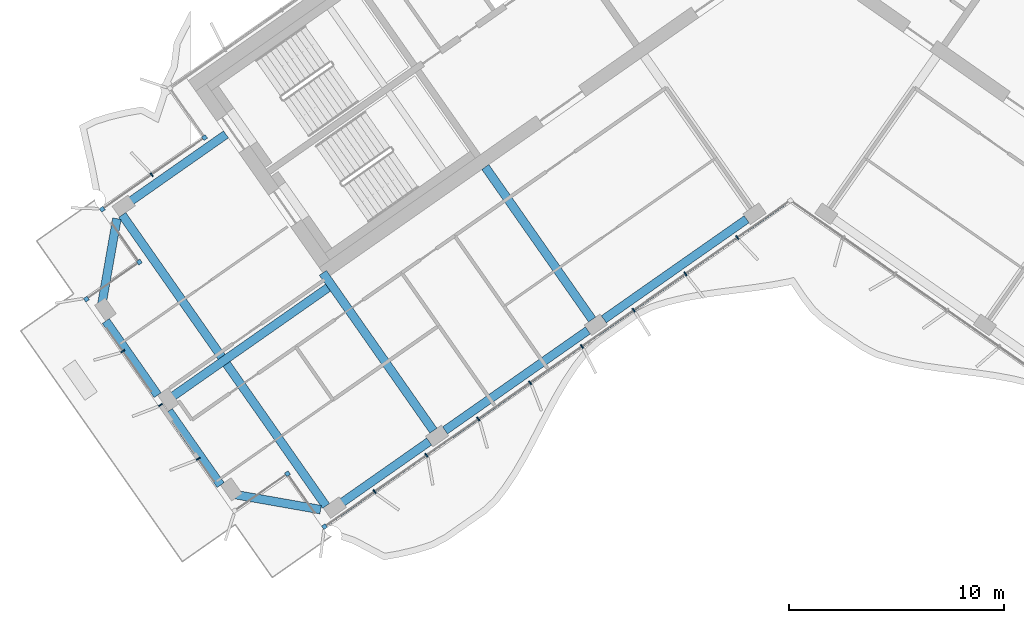
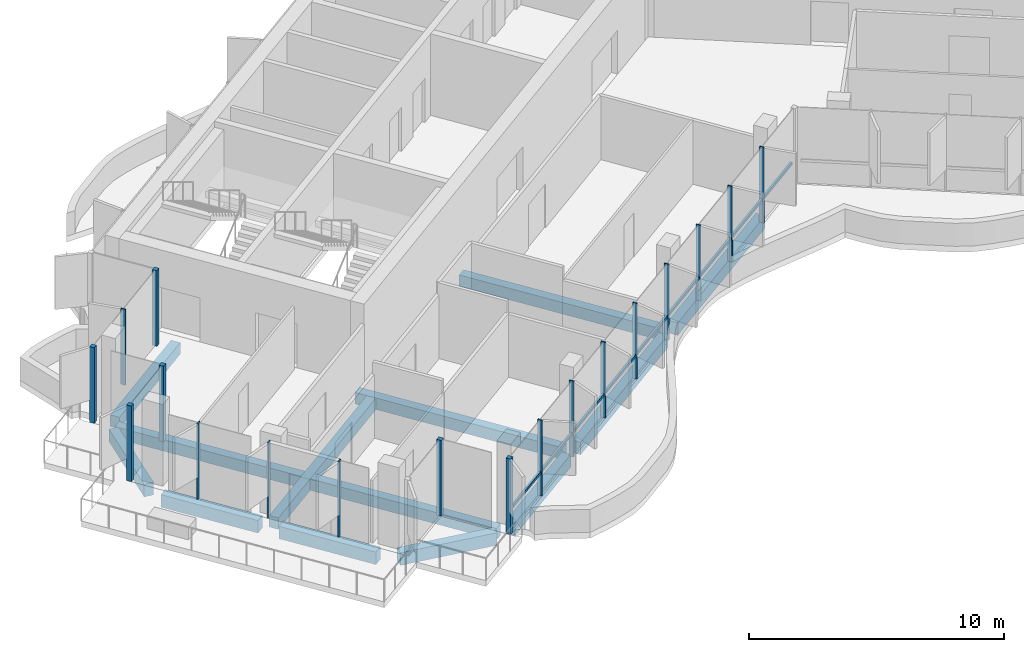
# One storey, part 2 of 21: 19 members, 12 beams, 4 elements without a shape of their own.
"""IFC4 building model written with IfcOpenShell, lengths in metres."""

import ifcopenshell
import ifcopenshell.guid

model = None  # the IFC model being written
_history = None  # IfcOwnerHistory: only IFC2X3 demands one
_inside = {}  # id of a spatial element -> (the spatial element, [elements in it])
_under = {}  # id of a project, library or spatial element -> (it, [spatial elements below it])
_declared = {}  # id of a project -> (the project, [libraries it declares])
_typed = {}  # id of a type object -> (the type object, [elements of that type])
_made_of = {}  # id of a material, layer set ... -> (it, [elements and type objects made of it])


def new_model(schema):
    """Start an empty IFC model of exactly this schema.

    Asked for "IFC4X3", IfcOpenShell would pick the latest addendum, in which some entities
    have other attributes; the version numbers below select the first issue.
    IFC2X3 requires an IfcOwnerHistory on every rooted entity: one is made here for all.
    """
    global model, _history
    if schema == "IFC4X3":
        model = ifcopenshell.file(schema_version=(4, 3, 0, 0))
    else:
        model = ifcopenshell.file(schema=schema)
    _inside.clear()
    _under.clear()
    _declared.clear()
    _typed.clear()
    _made_of.clear()
    _history = None
    if model.schema == "IFC2X3":
        org = make("IfcOrganization", Name="unknown")
        user = make(
            "IfcPersonAndOrganization",
            ThePerson=make("IfcPerson", FamilyName="unknown"),
            TheOrganization=org,
        )
        app = make(
            "IfcApplication",
            ApplicationDeveloper=org,
            Version="unknown",
            ApplicationFullName="unknown",
            ApplicationIdentifier="unknown",
        )
        _history = make(
            "IfcOwnerHistory",
            OwningUser=user,
            OwningApplication=app,
            ChangeAction="ADDED",
            CreationDate=0,
        )
    return model


def make(cls, **values):
    """One entity of the class cls with the attributes given. An attribute that is None is left unset."""
    return model.create_entity(
        cls, **{name: value for name, value in values.items() if value is not None}
    )


def rooted(cls, **values):
    """An entity with a GlobalId (a new one), such as an element, a storey or a relation."""
    return make(cls, GlobalId=ifcopenshell.guid.new(), OwnerHistory=_history, **values)


def si_unit(unit_type, name, prefix=None):
    """IfcSIUnit, for example si_unit("LENGTHUNIT", "METRE", prefix="MILLI")."""
    return make("IfcSIUnit", UnitType=unit_type, Prefix=prefix, Name=name)


def assignment(units):
    """IfcUnitAssignment: the units of a project."""
    return None if units is None else make("IfcUnitAssignment", Units=units)


def point(xyz):
    """IfcCartesianPoint."""
    return None if xyz is None else make("IfcCartesianPoint", Coordinates=xyz)


def direction(xyz):
    """IfcDirection."""
    return None if xyz is None else make("IfcDirection", DirectionRatios=xyz)


def frame(location, z_axis=None, x_axis=None):
    """IfcAxis2Placement3D, a coordinate frame: its origin and axes. An axis left out is left unset."""
    return make(
        "IfcAxis2Placement3D",
        Location=point(location),
        Axis=direction(z_axis),
        RefDirection=direction(x_axis),
    )


def frame_2d(location, x_axis=None):
    """IfcAxis2Placement2D, a coordinate frame in the plane: its origin and x axis."""
    return make(
        "IfcAxis2Placement2D", Location=point(location), RefDirection=direction(x_axis)
    )


def origin():
    """The frame at (0, 0, 0) with its axes left unset."""
    return frame((0.0, 0.0, 0.0))


def origin_2d():
    """The frame at (0, 0) in the plane with its x axis left unset."""
    return frame_2d((0.0, 0.0))


def place(relative_to, where):
    """IfcLocalPlacement: puts the frame where relative to a parent placement (None: the world)."""
    return make(
        "IfcLocalPlacement", PlacementRelTo=relative_to, RelativePlacement=where
    )


def context(
    kind, dimensions, precision=None, world=None, true_north=None, identifier=None
):
    """IfcGeometricRepresentationContext, for example the 3D "Model" context."""
    return make(
        "IfcGeometricRepresentationContext",
        ContextIdentifier=identifier,
        ContextType=kind,
        CoordinateSpaceDimension=dimensions,
        Precision=precision,
        WorldCoordinateSystem=world,
        TrueNorth=true_north,
    )


def subcontext(parent, identifier, kind, view, scale=None):
    """IfcGeometricRepresentationSubContext, for example "Body" below "Model"."""
    return make(
        "IfcGeometricRepresentationSubContext",
        ContextIdentifier=identifier,
        ContextType=kind,
        ParentContext=parent,
        TargetScale=scale,
        TargetView=view,
    )


def project(units=None, contexts=None):
    """IfcProject with its units and contexts."""
    return rooted(
        "IfcProject",
        Name="project",
        RepresentationContexts=contexts,
        UnitsInContext=assignment(units),
    )


def spatial(cls, under=None, at=None, **own):
    """A site, building, storey or space (cls), placed at a placement, below another one or the project."""
    s = rooted(cls, ObjectPlacement=at, **own)
    if under is not None:
        _under.setdefault(under.id(), (under, []))[1].append(s)
    return s


def profile(cls, at=None, kind="AREA", **sizes):
    """A parametric profile (cls). Its sizes go by their IFC names, for example OverallWidth=200.0."""
    return make(cls, ProfileType=kind, Position=at, **sizes)


def rectangle(**sizes):
    """IfcRectangleProfileDef."""
    return profile("IfcRectangleProfileDef", **sizes)


def extrude(swept, where, along, depth):
    """IfcExtrudedAreaSolid: the profile swept, set in the frame where, extruded along a direction by depth."""
    return make(
        "IfcExtrudedAreaSolid",
        SweptArea=swept,
        Position=where,
        ExtrudedDirection=direction(along),
        Depth=depth,
    )


def shape(context_of_items, identifier, shape_type, items):
    """IfcShapeRepresentation: the items that make up one representation, for example the "Body"."""
    return make(
        "IfcShapeRepresentation",
        ContextOfItems=context_of_items,
        RepresentationIdentifier=identifier,
        RepresentationType=shape_type,
        Items=items,
    )


def material(Name=None, Category=None):
    """IfcMaterial."""
    return make("IfcMaterial", Name=Name, Category=Category)


def material_profile(
    of_material, cross_section, Name=None, Category=None, Priority=None
):
    """IfcMaterialProfile: a cross section and its material."""
    return make(
        "IfcMaterialProfile",
        Name=Name,
        Material=of_material,
        Profile=cross_section,
        Priority=Priority,
        Category=Category,
    )


def profile_set(profiles, Name=None, composite=None):
    """IfcMaterialProfileSet."""
    return make(
        "IfcMaterialProfileSet",
        Name=Name,
        MaterialProfiles=profiles,
        CompositeProfile=composite,
    )


def made_of(thing, what):
    """Note that an element or type object is made of a material, layer set ...; save() writes the relation."""
    if what is not None:
        _made_of.setdefault(what.id(), (what, []))[1].append(thing)
    return thing


def type_object(cls, material=None, **own):
    """A type object (cls), such as IfcWallType, which elements share."""
    return made_of(rooted(cls, **own), material)


def element(
    cls,
    number,
    at=None,
    inside=None,
    cuts=None,
    type_object=None,
    material=None,
    context=None,
    identifier="Body",
    shape_type=None,
    held_by="IfcProductDefinitionShape",
    body=None,
    shapes=None,
    **own,
):
    """One element of the class cls, such as IfcWall. Its Tag is "e" and its number.

    at: its placement. inside: the storey or other place that contains it. cuts: it is an
    opening in that element (IfcRelVoidsElement). A single representation is given by context,
    identifier, shape_type and body (its items); several are given by shapes. held_by: the class
    of the entity that holds the representations. save() writes the other relations.
    """
    e = rooted(cls, Tag="e%d" % number, ObjectPlacement=at, **own)
    if body is not None:
        shapes = [shape(context, identifier, shape_type, body)]
    if shapes is not None:
        e.Representation = make(held_by, Representations=shapes)
    if inside is not None:
        _inside.setdefault(inside.id(), (inside, []))[1].append(e)
    if cuts is not None:
        rooted(
            "IfcRelVoidsElement", RelatingBuildingElement=cuts, RelatedOpeningElement=e
        )
    if type_object is not None:
        _typed.setdefault(type_object.id(), (type_object, []))[1].append(e)
    return made_of(e, material)


def aggregate(whole, parts):
    """IfcRelAggregates: a whole, such as a stair, and the parts it consists of."""
    return rooted("IfcRelAggregates", RelatingObject=whole, RelatedObjects=parts)


def save(model, path):
    """Write the relations noted so far, then the file.

    IfcRelAggregates (storeys below a building ...), IfcRelContainedInSpatialStructure (elements
    in a storey), IfcRelDefinesByType, IfcRelAssociatesMaterial and IfcRelDeclares: one each for
    every whole, place, type object, material and project.
    """
    for whole, parts in _under.values():
        aggregate(whole, parts)
    for where, things in _inside.values():
        rooted(
            "IfcRelContainedInSpatialStructure",
            RelatedElements=things,
            RelatingStructure=where,
        )
    for kind, things in _typed.values():
        rooted("IfcRelDefinesByType", RelatedObjects=things, RelatingType=kind)
    for what, things in _made_of.values():
        rooted("IfcRelAssociatesMaterial", RelatedObjects=things, RelatingMaterial=what)
    for by, libraries in _declared.values():
        rooted("IfcRelDeclares", RelatingContext=by, RelatedDefinitions=libraries)
    model.write(path)


model = new_model("IFC4")

# Units and contexts
model_context = context("Model", 3, precision=1e-05, world=origin(), true_north=direction((0.0, 1.0)))
body_context = subcontext(model_context, "Body", "Model", "MODEL_VIEW")
ifc_project = project(units=[si_unit("LENGTHUNIT", "METRE"), si_unit("AREAUNIT", "SQUARE_METRE"), si_unit("VOLUMEUNIT", "CUBIC_METRE"), si_unit("PLANEANGLEUNIT", "RADIAN"), si_unit("MASSUNIT", "GRAM", prefix="KILO")], contexts=[model_context])

# Site, building, storey
site_placement = place(None, origin())
site = spatial("IfcSite", under=ifc_project, at=site_placement, CompositionType="ELEMENT")
building_placement = place(site_placement, origin())
building = spatial("IfcBuilding", under=site, at=building_placement, Name="Tel Ilan Convention Tower", CompositionType="ELEMENT")
storey_placement = place(building_placement, frame((0.0, 0.0, 225.39990234375)))
storey = spatial("IfcBuildingStorey", under=building, at=storey_placement, Name="L52", CompositionType="ELEMENT", Elevation=225.39990234375)

# Beams
ifc_material_1 = material(Name="Concrete C40/50", Category="concrete")
ifc_material_profile_1 = material_profile(ifc_material_1, rectangle(XDim=0.39990234375, YDim=0.550048828125, at=origin_2d()), Name="RC 400x550")
ifc_profile_set_1 = profile_set([ifc_material_profile_1], Name="Concrete C40/50")
beam_type_1 = type_object("IfcBeamType", Name="Beam RC 400x550 Concrete C40/50", PredefinedType="BEAM", material=ifc_profile_set_1)
beam_1_placement = place(storey_placement, frame((-30.841552734375, -12.866943359375, -0.554931640625), z_axis=(0.819148592279, 0.5735813663, 0.0), x_axis=(-0.5735813663, 0.819148592279, 0.0)))
element("IfcBeam", 1, at=beam_1_placement, inside=storey, type_object=beam_type_1, Name="L52 beam W-W-BC-core", PredefinedType="BEAM", context=body_context, shape_type="SweptSolid", body=[
    extrude(rectangle(XDim=0.39990234375, YDim=0.550048828125, at=origin_2d()), origin(), (0.0, 0.0, 1.0), 5.64404296875),
])
beam_2_placement = place(storey_placement, frame((-9.209716796875, -18.229248046875, -0.554931640625), z_axis=(-0.573574099654, 0.819153680457, 0.0), x_axis=(-0.819153680457, -0.573574099654, 0.0)))
element("IfcBeam", 2, at=beam_2_placement, inside=storey, type_object=beam_type_1, Name="L52 beam W-W-F2-core", PredefinedType="BEAM", context=body_context, shape_type="SweptSolid", body=[
    extrude(rectangle(XDim=0.39990234375, YDim=0.550048828125, at=origin_2d()), origin(), (0.0, 0.0, 1.0), 8.64990234375),
])
beam_3_placement = place(storey_placement, frame((-16.58203125, -23.391357421875, -0.554931640625), z_axis=(-0.573584999642, 0.819146048141, 0.0), x_axis=(-0.819146048141, -0.573584999642, 0.0)))
element("IfcBeam", 3, at=beam_3_placement, inside=storey, type_object=beam_type_1, Name="L52 beam W-W-F3-core", PredefinedType="BEAM", context=body_context, shape_type="SweptSolid", body=[
    extrude(rectangle(XDim=0.39990234375, YDim=0.550048828125, at=origin_2d()), origin(), (0.0, 0.0, 1.0), 8.949951171875),
])
beam_4_placement = place(storey_placement, frame((-21.477783203125, -16.748046875, -0.554931640625), z_axis=(-0.819149479048, -0.573580099878, 0.0), x_axis=(0.573580099878, -0.819149479048, 0.0)))
element("IfcBeam", 4, at=beam_4_placement, inside=storey, type_object=beam_type_1, Name="L52 beam W-core-end", PredefinedType="BEAM", context=body_context, shape_type="SweptSolid", body=[
    extrude(rectangle(XDim=0.39990234375, YDim=0.550048828125, at=origin_2d()), origin(), (0.0, 0.0, 1.0), 9.044189453125),
])
beam_5_placement = place(storey_placement, frame((-21.573974609375, -26.88671875, -0.554931640625), z_axis=(-0.573577531157, 0.819151277697, 0.0), x_axis=(-0.819151277697, -0.573577531157, 0.0)))
element("IfcBeam", 5, at=beam_5_placement, inside=storey, type_object=beam_type_1, Name="L52 beam W-W-FC-W-BC", PredefinedType="BEAM", context=body_context, shape_type="SweptSolid", body=[
    extrude(rectangle(XDim=0.39990234375, YDim=0.550048828125, at=origin_2d()), origin(), (0.0, 0.0, 1.0), 16.500244140625),
])
ifc_material_2 = material(Name="Concrete C40/50", Category="concrete")
ifc_material_profile_2 = material_profile(ifc_material_2, rectangle(XDim=0.39990234375, YDim=0.60009765625, at=origin_2d()), Name="RC 400x600")
ifc_profile_set_2 = profile_set([ifc_material_profile_2], Name="Concrete C40/50")
beam_type_2 = type_object("IfcBeamType", Name="Beam RC 400x600 Concrete C40/50", PredefinedType="BEAM", material=ifc_profile_set_2)
beam_6_placement = place(storey_placement, frame((-2.033935546875, -13.57080078125, -0.579833984375), z_axis=(-0.81914553362, -0.573585734437, 0.0), x_axis=(0.573585734437, -0.81914553362, 0.0)))
element("IfcBeam", 6, at=beam_6_placement, inside=storey, type_object=beam_type_2, Name="L52 beam W-W-F1-W-F2", PredefinedType="BEAM", context=body_context, shape_type="SweptSolid", body=[
    extrude(rectangle(XDim=0.39990234375, YDim=0.60009765625, at=origin_2d()), origin(), (0.0, 0.0, 1.0), 8.099853515625),
])
beam_7_placement = place(storey_placement, frame((-9.40625, -18.73291015625, -0.579833984375), z_axis=(-0.819155449703, -0.573571572885, 0.0), x_axis=(0.573571572885, -0.819155449703, 0.0)))
element("IfcBeam", 7, at=beam_7_placement, inside=storey, type_object=beam_type_2, Name="L52 beam W-W-F2-W-F3", PredefinedType="BEAM", context=body_context, shape_type="SweptSolid", body=[
    extrude(rectangle(XDim=0.39990234375, YDim=0.60009765625, at=origin_2d()), origin(), (0.0, 0.0, 1.0), 8.10009765625),
])
beam_8_placement = place(storey_placement, frame((-16.778564453125, -23.895263671875, -0.579833984375), z_axis=(-0.819141372108, -0.573591677503, 0.0), x_axis=(0.573591677503, -0.819141372108, 0.0)))
element("IfcBeam", 8, at=beam_8_placement, inside=storey, type_object=beam_type_2, Name="L52 beam W-W-F3-W-FC", PredefinedType="BEAM", context=body_context, shape_type="SweptSolid", body=[
    extrude(rectangle(XDim=0.39990234375, YDim=0.60009765625, at=origin_2d()), origin(), (0.0, 0.0, 1.0), 5.194091796875),
])
beam_9_placement = place(storey_placement, frame((-21.81982421875, -27.058837890625, -0.579833984375), z_axis=(-0.984804894423, 0.173664388751, 0.0), x_axis=(-0.173664388751, -0.984804894423, 0.0)))
element("IfcBeam", 9, at=beam_9_placement, inside=storey, type_object=beam_type_2, Name="L52 beam W-W-FC-W-E1", PredefinedType="BEAM", context=body_context, shape_type="SweptSolid", body=[
    extrude(rectangle(XDim=0.39990234375, YDim=0.60009765625, at=origin_2d()), origin(), (0.0, 0.0, 1.0), 4.030517578125),
])
beam_10_placement = place(storey_placement, frame((-26.465087890625, -25.91650390625, -0.579833984375), z_axis=(-0.573591086599, 0.819141785879, 0.0), x_axis=(-0.819141785879, -0.573591086599, 0.0)))
element("IfcBeam", 10, at=beam_10_placement, inside=storey, type_object=beam_type_2, Name="L52 beam W-W-E1-W-E2", PredefinedType="BEAM", context=body_context, shape_type="SweptSolid", body=[
    extrude(rectangle(XDim=0.39990234375, YDim=0.60009765625, at=origin_2d()), origin(), (0.0, 0.0, 1.0), 4.19970703125),
])
beam_11_placement = place(storey_placement, frame((-29.39013671875, -21.739013671875, -0.579833984375), z_axis=(-0.573602778367, 0.819133598779, 0.0), x_axis=(-0.819133598779, -0.573602778367, 0.0)))
element("IfcBeam", 11, at=beam_11_placement, inside=storey, type_object=beam_type_2, Name="L52 beam W-W-E2-W-E3", PredefinedType="BEAM", context=body_context, shape_type="SweptSolid", body=[
    extrude(rectangle(XDim=0.39990234375, YDim=0.60009765625, at=origin_2d()), origin(), (0.0, 0.0, 1.0), 4.2001953125),
])
beam_12_placement = place(storey_placement, frame((-31.983642578125, -17.51220703125, -0.579833984375), z_axis=(0.173654029734, 0.984806721117, 0.0), x_axis=(-0.984806721117, 0.173654029734, 0.0)))
element("IfcBeam", 12, at=beam_12_placement, inside=storey, type_object=beam_type_2, Name="L52 beam W-W-E3-W-BC", PredefinedType="BEAM", context=body_context, shape_type="SweptSolid", body=[
    extrude(rectangle(XDim=0.39990234375, YDim=0.60009765625, at=origin_2d()), origin(), (0.0, 0.0, 1.0), 4.03076171875),
])

# Curtain wall, member
ifc_material_3 = material(Name="Aluminium, bronze anodised", Category="aluminium")
curtain_wall_type_1 = type_object("IfcCurtainWallType", Name="CW2 STICK CURTAIN WALL, SPANDREL PANELS", PredefinedType="NOTDEFINED", material=ifc_material_3)
curtain_wall_1_placement = place(storey_placement, origin())
curtain_wall_1 = element("IfcCurtainWall", 13, at=curtain_wall_1_placement, inside=storey, type_object=curtain_wall_type_1, Name="Curtain wall CW2-41.03", PredefinedType="NOTDEFINED")
ifc_material_4 = material(Name="Aluminium, bronze anodised", Category="aluminium")
ifc_material_profile_3 = material_profile(ifc_material_4, rectangle(XDim=0.199951171875, YDim=0.199951171875, at=origin_2d()), Name="CW CORNER MULLION 200x200")
ifc_profile_set_3 = profile_set([ifc_material_profile_3], Name="Aluminium, bronze anodised")
member_type_1 = type_object("IfcMemberType", Name="CW CORNER MULLION 200x200", PredefinedType="MULLION", material=ifc_profile_set_3)
member_1_placement = place(storey_placement, frame((-27.213623046875, -9.77734375, 0.0), z_axis=(0.0, 0.0, 1.0), x_axis=(0.573576436351, -0.819152044289, 0.0)))
member_1 = element("IfcMember", 14, at=member_1_placement, type_object=member_type_1, Name="Corner mullion", PredefinedType="MULLION", context=body_context, shape_type="SweptSolid", body=[
    extrude(rectangle(XDim=0.199951171875, YDim=0.199951171875, at=origin_2d()), origin(), (0.0, 0.0, 1.0), 3.6201171875),
])
aggregate(curtain_wall_1, [member_1])

# Curtain wall, members
ifc_material_5 = material(Name="Aluminium, bronze anodised", Category="aluminium")
curtain_wall_type_2 = type_object("IfcCurtainWallType", Name="CW5 STICK CURTAIN WALL, UPPER OFFICE LOW-IRON TINTED GLASS", PredefinedType="NOTDEFINED", material=ifc_material_5)
curtain_wall_2_placement = place(storey_placement, origin())
curtain_wall_2 = element("IfcCurtainWall", 15, at=curtain_wall_2_placement, inside=storey, type_object=curtain_wall_type_2, Name="Curtain wall CW5-41.04", PredefinedType="NOTDEFINED")
member_2_placement = place(storey_placement, frame((-31.964599609375, -13.10400390625, 0.0), z_axis=(0.0, 0.0, 1.0), x_axis=(-0.819152044289, -0.573576436351, 0.0)))
member_2 = element("IfcMember", 16, at=member_2_placement, type_object=member_type_1, Name="Corner mullion", PredefinedType="MULLION", context=body_context, shape_type="SweptSolid", body=[
    extrude(rectangle(XDim=0.199951171875, YDim=0.199951171875, at=origin_2d()), origin(), (0.0, 0.0, 1.0), 3.6201171875),
])
member_3_placement = place(storey_placement, frame((-30.243896484375, -15.5615234375, 0.0), z_axis=(0.0, 0.0, 1.0), x_axis=(0.573576436351, -0.819152044289, 0.0)))
member_3 = element("IfcMember", 17, at=member_3_placement, type_object=member_type_1, Name="Corner mullion", PredefinedType="MULLION", context=body_context, shape_type="SweptSolid", body=[
    extrude(rectangle(XDim=0.199951171875, YDim=0.199951171875, at=origin_2d()), origin(), (0.0, 0.0, 1.0), 3.6201171875),
])
member_4_placement = place(storey_placement, frame((-32.701416015625, -17.2822265625, 0.0), z_axis=(0.0, 0.0, 1.0), x_axis=(-0.819152044289, -0.573576436351, 0.0)))
member_4 = element("IfcMember", 18, at=member_4_placement, type_object=member_type_1, Name="Corner mullion", PredefinedType="MULLION", context=body_context, shape_type="SweptSolid", body=[
    extrude(rectangle(XDim=0.199951171875, YDim=0.199951171875, at=origin_2d()), origin(), (0.0, 0.0, 1.0), 3.6201171875),
])

curtain_wall_3_placement = place(storey_placement, origin())
curtain_wall_3 = element("IfcCurtainWall", 19, at=curtain_wall_3_placement, inside=storey, type_object=curtain_wall_type_2, Name="Curtain wall CW5-41.06", PredefinedType="NOTDEFINED")
member_5_placement = place(storey_placement, frame((-23.36083984375, -25.391357421875, 0.0), z_axis=(0.0, 0.0, 1.0), x_axis=(0.819152044289, 0.573576436351, 0.0)))
member_5 = element("IfcMember", 20, at=member_5_placement, type_object=member_type_1, Name="Corner mullion", PredefinedType="MULLION", context=body_context, shape_type="SweptSolid", body=[
    extrude(rectangle(XDim=0.199951171875, YDim=0.199951171875, at=origin_2d()), origin(), (0.0, 0.0, 1.0), 3.6201171875),
])
member_6_placement = place(storey_placement, frame((-21.64013671875, -27.8486328125, 0.0), z_axis=(0.0, 0.0, 1.0), x_axis=(0.573576436351, -0.819152044289, 0.0)))
member_6 = element("IfcMember", 21, at=member_6_placement, type_object=member_type_1, Name="Corner mullion", PredefinedType="MULLION", context=body_context, shape_type="SweptSolid", body=[
    extrude(rectangle(XDim=0.199951171875, YDim=0.199951171875, at=origin_2d()), origin(), (0.0, 0.0, 1.0), 3.6201171875),
])

# Member
ifc_material_6 = material(Name="Aluminium, bronze anodised", Category="aluminium")
ifc_material_profile_4 = material_profile(ifc_material_6, rectangle(XDim=0.06005859375, YDim=0.199951171875, at=origin_2d()), Name="CW MULLION 60x200")
ifc_profile_set_4 = profile_set([ifc_material_profile_4], Name="Aluminium, bronze anodised")
member_type_2 = type_object("IfcMemberType", Name="CW MULLION 60x200", PredefinedType="MULLION", material=ifc_profile_set_4)
member_7_placement = place(storey_placement, frame((-29.6708984375, -11.498046875, 0.0), z_axis=(0.0, 0.0, 1.0), x_axis=(-0.819152044289, -0.573576436351, 0.0)))
member_7 = element("IfcMember", 22, at=member_7_placement, type_object=member_type_2, Name="Mullion", PredefinedType="MULLION", context=body_context, shape_type="SweptSolid", body=[
    extrude(rectangle(XDim=0.06005859375, YDim=0.199951171875, at=origin_2d()), origin(), (0.0, 0.0, 1.0), 3.6201171875),
])

member_8_placement = place(storey_placement, frame((-31.00927734375, -19.69873046875, 0.0), z_axis=(0.0, 0.0, 1.0), x_axis=(0.573576436351, -0.819152044289, 0.0)))
member_8 = element("IfcMember", 23, at=member_8_placement, type_object=member_type_2, Name="Mullion", PredefinedType="MULLION", context=body_context, shape_type="SweptSolid", body=[
    extrude(rectangle(XDim=0.06005859375, YDim=0.199951171875, at=origin_2d()), origin(), (0.0, 0.0, 1.0), 3.6201171875),
])

member_9_placement = place(storey_placement, frame((-29.259765625, -22.197021484375, 0.0), z_axis=(0.0, 0.0, 1.0), x_axis=(0.573576436351, -0.819152044289, 0.0)))
member_9 = element("IfcMember", 24, at=member_9_placement, type_object=member_type_2, Name="Mullion", PredefinedType="MULLION", context=body_context, shape_type="SweptSolid", body=[
    extrude(rectangle(XDim=0.06005859375, YDim=0.199951171875, at=origin_2d()), origin(), (0.0, 0.0, 1.0), 3.6201171875),
])

aggregate(curtain_wall_2, [member_7, member_2, member_3, member_4, member_8, member_9])

# Curtain wall, member
curtain_wall_4_placement = place(storey_placement, origin())
curtain_wall_4 = element("IfcCurtainWall", 25, at=curtain_wall_4_placement, inside=storey, type_object=curtain_wall_type_2, Name="Curtain wall CW5-41.05", PredefinedType="NOTDEFINED")
member_10_placement = place(storey_placement, frame((-27.510498046875, -24.695556640625, 0.0), z_axis=(0.0, 0.0, 1.0), x_axis=(0.573576436351, -0.819152044289, 0.0)))
member_10 = element("IfcMember", 26, at=member_10_placement, type_object=member_type_2, Name="Mullion", PredefinedType="MULLION", context=body_context, shape_type="SweptSolid", body=[
    extrude(rectangle(XDim=0.06005859375, YDim=0.199951171875, at=origin_2d()), origin(), (0.0, 0.0, 1.0), 3.6201171875),
])
aggregate(curtain_wall_4, [member_10])

# Member
member_11_placement = place(storey_placement, frame((-19.31494140625, -26.220458984375, 0.0), z_axis=(0.0, 0.0, 1.0), x_axis=(0.819152044289, 0.573576436351, 0.0)))
member_11 = element("IfcMember", 27, at=member_11_placement, type_object=member_type_2, Name="Mullion", PredefinedType="MULLION", context=body_context, shape_type="SweptSolid", body=[
    extrude(rectangle(XDim=0.06005859375, YDim=0.199951171875, at=origin_2d()), origin(), (0.0, 0.0, 1.0), 3.6201171875),
])

member_12_placement = place(storey_placement, frame((-16.90771484375, -24.534912109375, 0.0), z_axis=(0.0, 0.0, 1.0), x_axis=(0.819152044289, 0.573576436351, 0.0)))
member_12 = element("IfcMember", 28, at=member_12_placement, type_object=member_type_2, Name="Mullion", PredefinedType="MULLION", context=body_context, shape_type="SweptSolid", body=[
    extrude(rectangle(XDim=0.06005859375, YDim=0.199951171875, at=origin_2d()), origin(), (0.0, 0.0, 1.0), 3.6201171875),
])

member_13_placement = place(storey_placement, frame((-14.50048828125, -22.849365234375, 0.0), z_axis=(0.0, 0.0, 1.0), x_axis=(0.819152044289, 0.573576436351, 0.0)))
member_13 = element("IfcMember", 29, at=member_13_placement, type_object=member_type_2, Name="Mullion", PredefinedType="MULLION", context=body_context, shape_type="SweptSolid", body=[
    extrude(rectangle(XDim=0.06005859375, YDim=0.199951171875, at=origin_2d()), origin(), (0.0, 0.0, 1.0), 3.6201171875),
])

member_14_placement = place(storey_placement, frame((-12.09326171875, -21.163818359375, 0.0), z_axis=(0.0, 0.0, 1.0), x_axis=(0.819152044289, 0.573576436351, 0.0)))
member_14 = element("IfcMember", 30, at=member_14_placement, type_object=member_type_2, Name="Mullion", PredefinedType="MULLION", context=body_context, shape_type="SweptSolid", body=[
    extrude(rectangle(XDim=0.06005859375, YDim=0.199951171875, at=origin_2d()), origin(), (0.0, 0.0, 1.0), 3.6201171875),
])

member_15_placement = place(storey_placement, frame((-9.68603515625, -19.478271484375, 0.0), z_axis=(0.0, 0.0, 1.0), x_axis=(0.819152044289, 0.573576436351, 0.0)))
member_15 = element("IfcMember", 31, at=member_15_placement, type_object=member_type_2, Name="Mullion", PredefinedType="MULLION", context=body_context, shape_type="SweptSolid", body=[
    extrude(rectangle(XDim=0.06005859375, YDim=0.199951171875, at=origin_2d()), origin(), (0.0, 0.0, 1.0), 3.6201171875),
])

member_16_placement = place(storey_placement, frame((-7.279052734375, -17.792724609375, 0.0), z_axis=(0.0, 0.0, 1.0), x_axis=(0.819152044289, 0.573576436351, 0.0)))
member_16 = element("IfcMember", 32, at=member_16_placement, type_object=member_type_2, Name="Mullion", PredefinedType="MULLION", context=body_context, shape_type="SweptSolid", body=[
    extrude(rectangle(XDim=0.06005859375, YDim=0.199951171875, at=origin_2d()), origin(), (0.0, 0.0, 1.0), 3.6201171875),
])

member_17_placement = place(storey_placement, frame((-4.871826171875, -16.107177734375, 0.0), z_axis=(0.0, 0.0, 1.0), x_axis=(0.819152044289, 0.573576436351, 0.0)))
member_17 = element("IfcMember", 33, at=member_17_placement, type_object=member_type_2, Name="Mullion", PredefinedType="MULLION", context=body_context, shape_type="SweptSolid", body=[
    extrude(rectangle(XDim=0.06005859375, YDim=0.199951171875, at=origin_2d()), origin(), (0.0, 0.0, 1.0), 3.6201171875),
])

member_18_placement = place(storey_placement, frame((-2.464599609375, -14.421875, 0.0), z_axis=(0.0, 0.0, 1.0), x_axis=(0.819152044289, 0.573576436351, 0.0)))
member_18 = element("IfcMember", 34, at=member_18_placement, type_object=member_type_2, Name="Mullion", PredefinedType="MULLION", context=body_context, shape_type="SweptSolid", body=[
    extrude(rectangle(XDim=0.06005859375, YDim=0.199951171875, at=origin_2d()), origin(), (0.0, 0.0, 1.0), 3.6201171875),
])

ifc_material_7 = material(Name="Aluminium, bronze anodised", Category="aluminium")
ifc_material_profile_5 = material_profile(ifc_material_7, rectangle(XDim=0.10009765625, YDim=0.1201171875, at=origin_2d()), Name="CW TRANSOM 100x120")
ifc_profile_set_5 = profile_set([ifc_material_profile_5], Name="Aluminium, bronze anodised")
member_type_3 = type_object("IfcMemberType", Name="CW TRANSOM 100x120", PredefinedType="USERDEFINED", material=ifc_profile_set_5)
member_19_placement = place(storey_placement, frame((-21.558349609375, -27.791259765625, 1.10009765625), z_axis=(0.819152212587, 0.573576195996, 0.0), x_axis=(-0.573576195996, 0.819152212587, 0.0)))
member_19 = element("IfcMember", 35, at=member_19_placement, type_object=member_type_3, Name="Transom", ObjectType="TRANSOM", PredefinedType="USERDEFINED", context=body_context, shape_type="SweptSolid", body=[
    extrude(rectangle(XDim=0.10009765625, YDim=0.1201171875, at=origin_2d()), origin(), (0.0, 0.0, 1.0), 26.0478515625),
])

aggregate(curtain_wall_3, [member_5, member_6, member_11, member_12, member_13, member_14, member_15, member_16, member_17, member_18, member_19])

save(model, "model.ifc")
